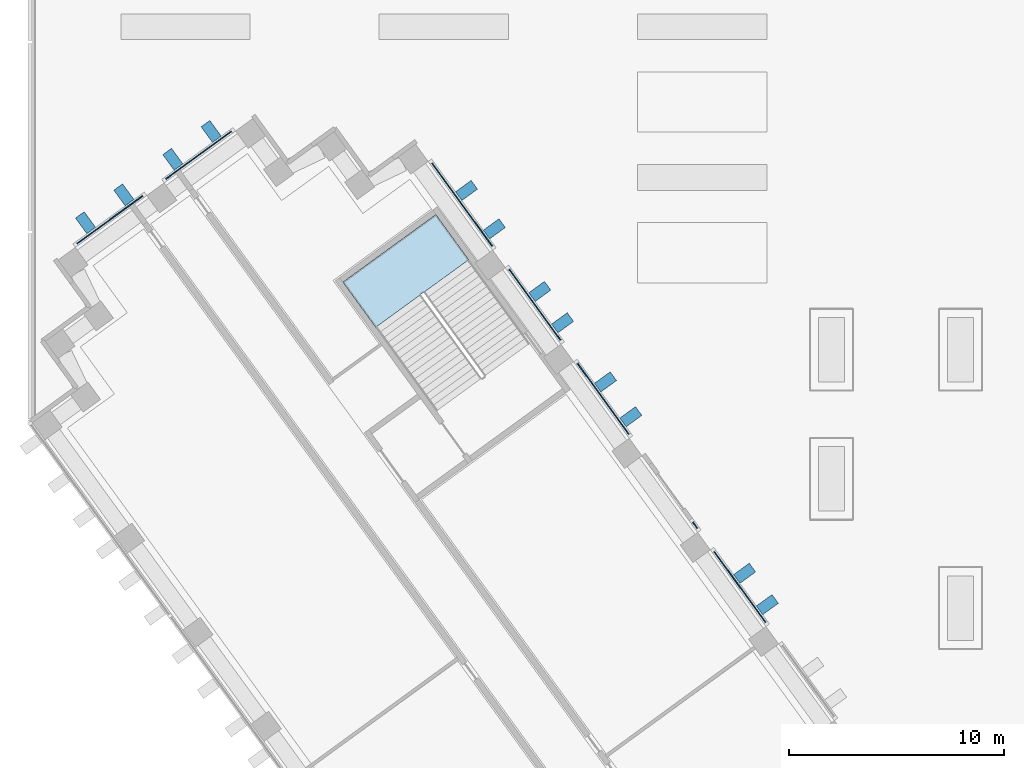
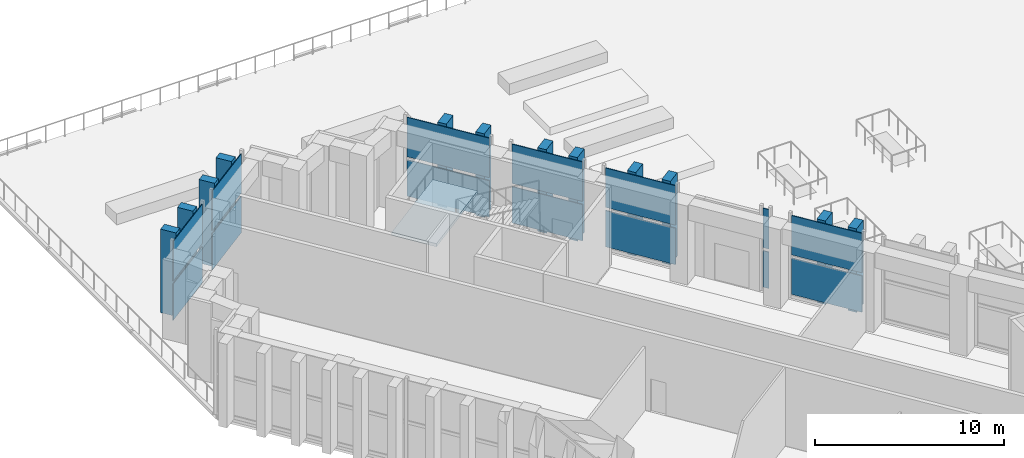
# One storey, part 10 of 25: 26 plates, 1 slab, 8 elements without a shape of their own.
"""IFC4 building model written with IfcOpenShell, lengths in metres."""

from ifc_helpers import new_model, si_unit, direction, frame, origin, origin_2d, place, context, subcontext, project, spatial, polyline, rectangle, outline, extrude, material, layer, layer_set, type_object, element, aggregate, save


model = new_model("IFC4")

# Units and contexts
model_context = context("Model", 3, precision=1e-05, world=origin(), true_north=direction((0.0, 1.0)))
body_context = subcontext(model_context, "Body", "Model", "MODEL_VIEW")
ifc_project = project(units=[si_unit("LENGTHUNIT", "METRE"), si_unit("AREAUNIT", "SQUARE_METRE"), si_unit("VOLUMEUNIT", "CUBIC_METRE"), si_unit("PLANEANGLEUNIT", "RADIAN"), si_unit("MASSUNIT", "GRAM", prefix="KILO")], contexts=[model_context])

# Site, building, storey
site_placement = place(None, origin())
site = spatial("IfcSite", under=ifc_project, at=site_placement, CompositionType="ELEMENT")
building_placement = place(site_placement, origin())
building = spatial("IfcBuilding", under=site, at=building_placement, Name="Quipu Civic Tower", CompositionType="ELEMENT")
storey_placement = place(building_placement, frame((0.0, 0.0, 6.0)))
storey = spatial("IfcBuildingStorey", under=building, at=storey_placement, Name="L01", CompositionType="ELEMENT", Elevation=6.0)

# Curtain wall, plates
ifc_material_1 = material(Name="Insulated glass unit", Category="glass")
curtain_wall_type = type_object("IfcCurtainWallType", Name="Council chamber curtain wall CW4", PredefinedType="NOTDEFINED", material=ifc_material_1)
curtain_wall_1_placement = place(storey_placement, origin())
curtain_wall_1 = element("IfcCurtainWall", 1, at=curtain_wall_1_placement, inside=storey, type_object=curtain_wall_type, Name="Council chamber curtain wall CW4 L01 run 3", PredefinedType="NOTDEFINED")
ifc_material_2 = material(Name="Insulated glass unit", Category="glass")
ifc_layer_1 = layer(ifc_material_2, 0.048095703125)
ifc_layer_set_1 = layer_set([ifc_layer_1], Name="Insulated glass unit")
plate_type_1 = type_object("IfcPlateType", Name="Glass panel CW4", PredefinedType="CURTAIN_PANEL", material=ifc_layer_set_1)
plate_1_placement = place(storey_placement, frame((-22.24951171875, 21.98046875, 0.300048828125), z_axis=(0.0, 0.0, 1.0), x_axis=(-0.587774328321, 0.809024930992, 0.0)))
plate_1 = element("IfcPlate", 2, at=plate_1_placement, type_object=plate_type_1, Name="CW4 panel 1.1", PredefinedType="CURTAIN_PANEL", context=body_context, shape_type="SweptSolid", body=[
    extrude(rectangle(XDim=4.080078125, YDim=0.048095703125, at=origin_2d()), origin(), (0.0, 0.0, 1.0), 2.35009765625),
])
plate_2_placement = place(storey_placement, frame((-22.24951171875, 21.98046875, 2.85009765625), z_axis=(0.0, 0.0, 1.0), x_axis=(-0.587774328321, 0.809024930992, 0.0)))
plate_2 = element("IfcPlate", 3, at=plate_2_placement, type_object=plate_type_1, Name="CW4 panel 1.2", PredefinedType="CURTAIN_PANEL", context=body_context, shape_type="SweptSolid", body=[
    extrude(rectangle(XDim=4.080078125, YDim=0.048095703125, at=origin_2d()), origin(), (0.0, 0.0, 1.0), 2.550048828125),
])
aggregate(curtain_wall_1, [plate_1, plate_2])

curtain_wall_2_placement = place(storey_placement, origin())
curtain_wall_2 = element("IfcCurtainWall", 4, at=curtain_wall_2_placement, inside=storey, type_object=curtain_wall_type, Name="Council chamber curtain wall CW4 L01 run 4", PredefinedType="NOTDEFINED")
plate_3_placement = place(storey_placement, frame((-24.327880859375, 24.84130859375, 0.300048828125), z_axis=(0.0, 0.0, 1.0), x_axis=(-0.587791263278, 0.809012627105, 0.0)))
plate_3 = element("IfcPlate", 5, at=plate_3_placement, type_object=plate_type_1, Name="CW4 panel 1.1", PredefinedType="CURTAIN_PANEL", context=body_context, shape_type="SweptSolid", body=[
    extrude(rectangle(XDim=0.352294921875, YDim=0.048095703125, at=origin_2d()), origin(), (0.0, 0.0, 1.0), 2.35009765625),
])
plate_4_placement = place(storey_placement, frame((-24.327880859375, 24.84130859375, 2.85009765625), z_axis=(0.0, 0.0, 1.0), x_axis=(-0.587791263278, 0.809012627105, 0.0)))
plate_4 = element("IfcPlate", 6, at=plate_4_placement, type_object=plate_type_1, Name="CW4 panel 1.2", PredefinedType="CURTAIN_PANEL", context=body_context, shape_type="SweptSolid", body=[
    extrude(rectangle(XDim=0.352294921875, YDim=0.048095703125, at=origin_2d()), origin(), (0.0, 0.0, 1.0), 2.550048828125),
])
aggregate(curtain_wall_2, [plate_3, plate_4])

curtain_wall_3_placement = place(storey_placement, origin())
curtain_wall_3 = element("IfcCurtainWall", 7, at=curtain_wall_3_placement, inside=storey, type_object=curtain_wall_type, Name="Council chamber curtain wall CW4 L01 run 7", PredefinedType="NOTDEFINED")
plate_5_placement = place(storey_placement, frame((-28.597412109375, 30.718017578125, 0.300048828125), z_axis=(0.0, 0.0, 1.0), x_axis=(-0.587785135859, 0.809017078969, 0.0)))
plate_5 = element("IfcPlate", 8, at=plate_5_placement, type_object=plate_type_1, Name="CW4 panel 1.1", PredefinedType="CURTAIN_PANEL", context=body_context, shape_type="SweptSolid", body=[
    extrude(rectangle(XDim=4.079833984375, YDim=0.048095703125, at=origin_2d()), origin(), (0.0, 0.0, 1.0), 2.35009765625),
])
plate_6_placement = place(storey_placement, frame((-28.597412109375, 30.718017578125, 2.85009765625), z_axis=(0.0, 0.0, 1.0), x_axis=(-0.587785135859, 0.809017078969, 0.0)))
plate_6 = element("IfcPlate", 9, at=plate_6_placement, type_object=plate_type_1, Name="CW4 panel 1.2", PredefinedType="CURTAIN_PANEL", context=body_context, shape_type="SweptSolid", body=[
    extrude(rectangle(XDim=4.079833984375, YDim=0.048095703125, at=origin_2d()), origin(), (0.0, 0.0, 1.0), 2.550048828125),
])
aggregate(curtain_wall_3, [plate_5, plate_6])

curtain_wall_4_placement = place(storey_placement, origin())
curtain_wall_4 = element("IfcCurtainWall", 10, at=curtain_wall_4_placement, inside=storey, type_object=curtain_wall_type, Name="Council chamber curtain wall CW4 L01 run 8", PredefinedType="NOTDEFINED")
plate_7_placement = place(storey_placement, frame((-31.771484375, 35.086669921875, 0.300048828125), z_axis=(0.0, 0.0, 1.0), x_axis=(-0.587789203544, 0.809014123608, 0.0)))
plate_7 = element("IfcPlate", 11, at=plate_7_placement, type_object=plate_type_1, Name="CW4 panel 1.1", PredefinedType="CURTAIN_PANEL", context=body_context, shape_type="SweptSolid", body=[
    extrude(rectangle(XDim=4.080078125, YDim=0.048095703125, at=origin_2d()), origin(), (0.0, 0.0, 1.0), 2.35009765625),
])
plate_8_placement = place(storey_placement, frame((-31.771484375, 35.086669921875, 2.85009765625), z_axis=(0.0, 0.0, 1.0), x_axis=(-0.587789203544, 0.809014123608, 0.0)))
plate_8 = element("IfcPlate", 12, at=plate_8_placement, type_object=plate_type_1, Name="CW4 panel 1.2", PredefinedType="CURTAIN_PANEL", context=body_context, shape_type="SweptSolid", body=[
    extrude(rectangle(XDim=4.080078125, YDim=0.048095703125, at=origin_2d()), origin(), (0.0, 0.0, 1.0), 2.550048828125),
])
aggregate(curtain_wall_4, [plate_7, plate_8])

curtain_wall_5_placement = place(storey_placement, origin())
curtain_wall_5 = element("IfcCurtainWall", 13, at=curtain_wall_5_placement, inside=storey, type_object=curtain_wall_type, Name="Council chamber curtain wall CW4 L01 run 9", PredefinedType="NOTDEFINED")
plate_9_placement = place(storey_placement, frame((-35.149658203125, 39.736328125, 0.300048828125), z_axis=(0.0, 0.0, 1.0), x_axis=(-0.587782980465, 0.809018644949, 0.0)))
plate_9 = element("IfcPlate", 14, at=plate_9_placement, type_object=plate_type_1, Name="CW4 panel 1.1", PredefinedType="CURTAIN_PANEL", context=body_context, shape_type="SweptSolid", body=[
    extrude(rectangle(XDim=4.774658203125, YDim=0.048095703125, at=origin_2d()), origin(), (0.0, 0.0, 1.0), 2.35009765625),
])
plate_10_placement = place(storey_placement, frame((-35.149658203125, 39.736328125, 2.85009765625), z_axis=(0.0, 0.0, 1.0), x_axis=(-0.587782980465, 0.809018644949, 0.0)))
plate_10 = element("IfcPlate", 15, at=plate_10_placement, type_object=plate_type_1, Name="CW4 panel 1.2", PredefinedType="CURTAIN_PANEL", context=body_context, shape_type="SweptSolid", body=[
    extrude(rectangle(XDim=4.774658203125, YDim=0.048095703125, at=origin_2d()), origin(), (0.0, 0.0, 1.0), 2.550048828125),
])
aggregate(curtain_wall_5, [plate_9, plate_10])

curtain_wall_6_placement = place(storey_placement, origin())
curtain_wall_6 = element("IfcCurtainWall", 16, at=curtain_wall_6_placement, inside=storey, type_object=curtain_wall_type, Name="Council chamber curtain wall CW4 L01 run 14", PredefinedType="NOTDEFINED")
plate_11_placement = place(storey_placement, frame((-47.385009765625, 42.03076171875, 0.300048828125), z_axis=(0.0, 0.0, 1.0), x_axis=(-0.809030241342, -0.587767018974, 0.0)))
plate_11 = element("IfcPlate", 17, at=plate_11_placement, type_object=plate_type_1, Name="CW4 panel 1.1", PredefinedType="CURTAIN_PANEL", context=body_context, shape_type="SweptSolid", body=[
    extrude(rectangle(XDim=3.780029296875, YDim=0.048095703125, at=origin_2d()), origin(), (0.0, 0.0, 1.0), 2.35009765625),
])
plate_12_placement = place(storey_placement, frame((-47.385009765625, 42.03076171875, 2.85009765625), z_axis=(0.0, 0.0, 1.0), x_axis=(-0.809030241342, -0.587767018974, 0.0)))
plate_12 = element("IfcPlate", 18, at=plate_12_placement, type_object=plate_type_1, Name="CW4 panel 1.2", PredefinedType="CURTAIN_PANEL", context=body_context, shape_type="SweptSolid", body=[
    extrude(rectangle(XDim=3.780029296875, YDim=0.048095703125, at=origin_2d()), origin(), (0.0, 0.0, 1.0), 2.550048828125),
])
aggregate(curtain_wall_6, [plate_11, plate_12])

curtain_wall_7_placement = place(storey_placement, origin())
curtain_wall_7 = element("IfcCurtainWall", 19, at=curtain_wall_7_placement, inside=storey, type_object=curtain_wall_type, Name="Council chamber curtain wall CW4 L01 run 15", PredefinedType="NOTDEFINED")
plate_13_placement = place(storey_placement, frame((-51.51025390625, 39.033447265625, 0.300048828125), z_axis=(0.0, 0.0, 1.0), x_axis=(-0.809014568883, -0.587788590681, 0.0)))
plate_13 = element("IfcPlate", 20, at=plate_13_placement, type_object=plate_type_1, Name="CW4 panel 1.1", PredefinedType="CURTAIN_PANEL", context=body_context, shape_type="SweptSolid", body=[
    extrude(rectangle(XDim=3.778076171875, YDim=0.048095703125, at=origin_2d()), origin(), (0.0, 0.0, 1.0), 2.35009765625),
])
plate_14_placement = place(storey_placement, frame((-51.51025390625, 39.033447265625, 2.85009765625), z_axis=(0.0, 0.0, 1.0), x_axis=(-0.809014568883, -0.587788590681, 0.0)))
plate_14 = element("IfcPlate", 21, at=plate_14_placement, type_object=plate_type_1, Name="CW4 panel 1.2", PredefinedType="CURTAIN_PANEL", context=body_context, shape_type="SweptSolid", body=[
    extrude(rectangle(XDim=3.778076171875, YDim=0.048095703125, at=origin_2d()), origin(), (0.0, 0.0, 1.0), 2.550048828125),
])
aggregate(curtain_wall_7, [plate_13, plate_14])

# Plates
ifc_material_3 = material(Name="Precast concrete C40/50", Category="concrete")
plate_type_2 = type_object("IfcPlateType", Name="Precast fin F0", PredefinedType="SHEET", material=ifc_material_3)
for number, where, z_axis, x_axis, name in (
    (22, (-20.97265625, 21.158935546875, 0.10009765625), (0.0, 0.0, 1.0), (-0.587784944053, 0.809017218324, 0.0), "Precast fin F0 L01.3.1"),
    (23, (-22.03076171875, 22.615234375, 0.10009765625), (0.0, 0.0, 1.0), (-0.587784944053, 0.809017218324, 0.0), "Precast fin F0 L01.3.2"),
    (24, (-27.312744140625, 29.885498046875, 0.10009765625), (0.0, 0.0, 1.0), (-0.587784944053, 0.809017218324, 0.0), "Precast fin F0 L01.7.1"),
    (25, (-28.488525390625, 31.50341796875, 0.10009765625), (0.0, 0.0, 1.0), (-0.587784944053, 0.809017218324, 0.0), "Precast fin F0 L01.7.2"),
    (26, (-30.48291015625, 34.24853515625, 0.10009765625), (0.0, 0.0, 1.0), (-0.587784944053, 0.809017218324, 0.0), "Precast fin F0 L01.8.1"),
    (27, (-31.540771484375, 35.704833984375, 0.10009765625), (0.0, 0.0, 1.0), (-0.587784944053, 0.809017218324, 0.0), "Precast fin F0 L01.8.2"),
    (28, (-33.65283203125, 38.61181640625, 0.10009765625), (0.0, 0.0, 1.0), (-0.587784944053, 0.809017218324, 0.0), "Precast fin F0 L01.9.1"),
    (29, (-34.946044921875, 40.391845703125, 0.10009765625), (0.0, 0.0, 1.0), (-0.587784944053, 0.809017218324, 0.0), "Precast fin F0 L01.9.2"),
    (30, (-46.802734375, 43.133544921875, 0.10009765625), (0.0, 0.0, 1.0), (-0.809021318545, -0.587779300537, 0.0), "Precast fin F0 L01.14.1"),
    (31, (-48.58251953125, 41.84033203125, 0.10009765625), (0.0, 0.0, 1.0), (-0.809021318545, -0.587779300537, 0.0), "Precast fin F0 L01.14.2"),
    (32, (-50.8564453125, 40.1884765625, 0.10009765625), (0.0, 0.0, 1.0), (-0.809021318545, -0.587779300537, 0.0), "Precast fin F0 L01.15.1"),
    (33, (-52.63623046875, 38.895263671875, 0.10009765625), (0.0, 0.0, 1.0), (-0.809021318545, -0.587779300537, 0.0), "Precast fin F0 L01.15.2"),
):
    element("IfcPlate", number, at=place(storey_placement, frame(where, z_axis=z_axis, x_axis=x_axis)), inside=storey, type_object=plate_type_2, Name=name, PredefinedType="SHEET", context=body_context, shape_type="SweptSolid", body=[
        extrude(rectangle(XDim=0.5, YDim=0.89990234375, at=origin_2d()), origin(), (0.0, 0.0, 1.0), 5.39990234375),
    ])

# Stair, slab
ifc_material_4 = material(Name="Concrete C40/50", Category="concrete")
stair_type = type_object("IfcStairType", Name="Half turn stair 2600", PredefinedType="HALF_TURN_STAIR", material=ifc_material_4)
stair_placement = place(storey_placement, origin())
stair = element("IfcStair", 34, at=stair_placement, inside=storey, type_object=stair_type, Name="Exit stair 6", PredefinedType="HALF_TURN_STAIR")
ifc_material_5 = material(Name="Concrete C40/50", Category="concrete")
ifc_layer_2 = layer(ifc_material_5, 0.199951171875)
ifc_layer_set_2 = layer_set([ifc_layer_2], Name="Concrete C40/50")
slab_type = type_object("IfcSlabType", Name="Stair landing 200", PredefinedType="LANDING", material=ifc_layer_set_2)
slab_placement = place(storey_placement, frame((0.0, 0.0, 2.550048828125)))
slab = element("IfcSlab", 35, at=slab_placement, type_object=slab_type, Name="ST-6 landing 1", PredefinedType="LANDING", context=body_context, shape_type="SweptSolid", body=[
    extrude(outline(polyline([(-34.837158203125, 37.179443359375), (-36.365478515625, 39.282958984375), (-40.69384765625, 36.138427734375), (-39.16552734375, 34.034912109375), (-34.837158203125, 37.179443359375)])), origin(), (0.0, 0.0, 1.0), 0.199951171875),
])
aggregate(stair, [slab])

save(model, "model.ifc")
